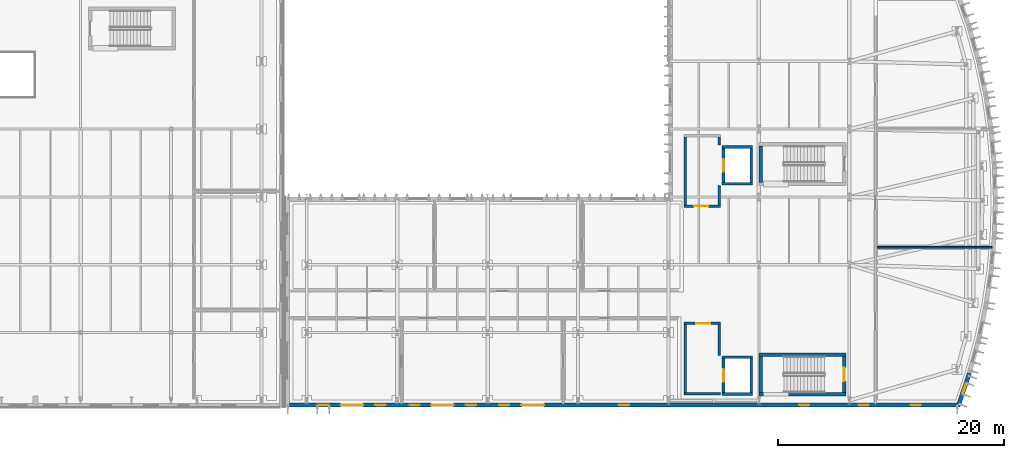
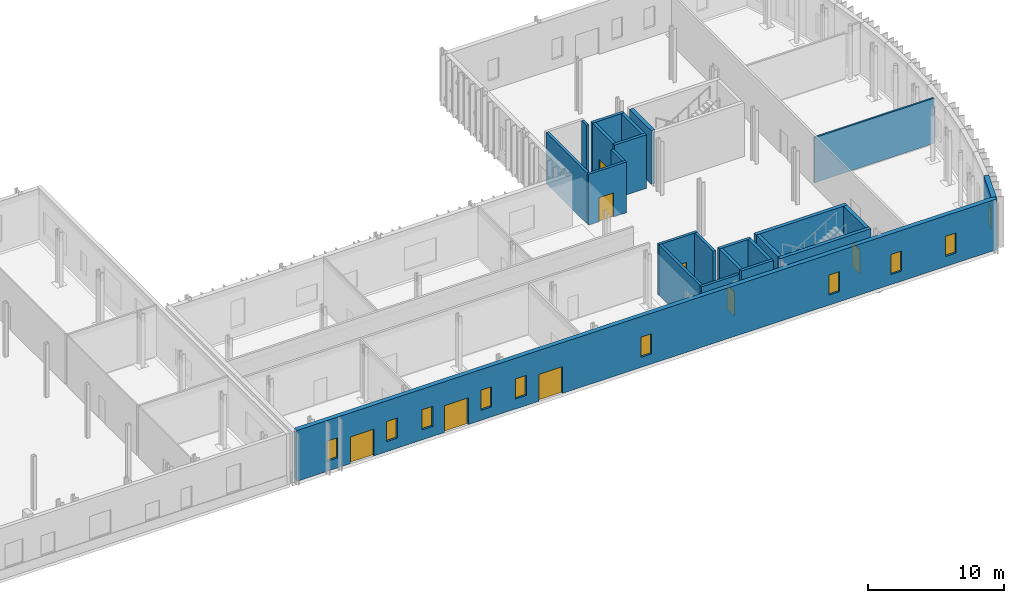
# One storey, part 32 of 60: 24 walls, 10 windows, 8 doors, 18 openings.
"""IFC4 building model written with IfcOpenShell, lengths in metres."""

from ifc_helpers import new_model, si_unit, direction, frame, frame_2d, origin, place, context, subcontext, project, spatial, rectangle, extrude, material, layer, layer_set, type_object, element, fill, save


model = new_model("IFC4")

# Units and contexts
model_context = context("Model", 3, precision=1e-05, world=origin(), true_north=direction((0.0, 1.0)))
body_context = subcontext(model_context, "Body", "Model", "MODEL_VIEW")
ifc_project = project(units=[si_unit("LENGTHUNIT", "METRE"), si_unit("AREAUNIT", "SQUARE_METRE"), si_unit("VOLUMEUNIT", "CUBIC_METRE"), si_unit("PLANEANGLEUNIT", "RADIAN"), si_unit("MASSUNIT", "GRAM", prefix="KILO")], contexts=[model_context])

# Site, building, storey
site_placement = place(None, origin())
site = spatial("IfcSite", under=ifc_project, at=site_placement, CompositionType="ELEMENT")
building_placement = place(site_placement, origin())
building = spatial("IfcBuilding", under=site, at=building_placement, Name="Cymarion Research Institute", CompositionType="ELEMENT")
storey_placement = place(building_placement, origin())
storey = spatial("IfcBuildingStorey", under=building, at=storey_placement, Name="L00", CompositionType="ELEMENT", Elevation=0.0)

# Wall, openings, doors, windows
ifc_material_1 = material(Name="Precast concrete C40/50", Category="concrete")
ifc_layer_1 = layer(ifc_material_1, 0.3798828125)
ifc_layer_set_1 = layer_set([ifc_layer_1], Name="Precast concrete C40/50")
wall_type_1 = type_object("IfcWallType", Name="EXTERIOR WALL EW-PC380 380MM", PredefinedType="SOLIDWALL", material=ifc_layer_set_1)
wall_1_placement = place(storey_placement, frame((105.06201171875, 5.090087890625, 0.0), z_axis=(0.0, 0.0, 1.0), x_axis=(1.0, 0.0, 0.0)))
wall_1 = element("IfcWall", 1, at=wall_1_placement, inside=storey, type_object=wall_type_1, Name="L00 V1 exterior wall EW-PC380 #38", PredefinedType="SOLIDWALL", context=body_context, shape_type="SweptSolid", body=[
    extrude(rectangle(XDim=59.337890625, YDim=0.3798828125, at=frame_2d((29.6689453125, 0.0))), origin(), (0.0, 0.0, 1.0), 4.550048828125),
])
opening_1_placement = place(wall_1_placement, frame((4.5380859375, 0.0, 0.0)))
opening_1 = element("IfcOpeningElement", 2, at=opening_1_placement, cuts=wall_1, Name="Opening D-EX01", PredefinedType="OPENING", context=body_context, shape_type="SweptSolid", body=[
    extrude(rectangle(XDim=2.0, YDim=2.39990234375, at=frame_2d((1.0, 1.199951171875))), frame((0.0, 0.199951171875, 0.0), z_axis=(0.0, -1.0, 0.0), x_axis=(1.0, 0.0, 0.0)), (0.0, 0.0, 1.0), 0.39990234375),
])
opening_2_placement = place(wall_1_placement, frame((20.5380859375, 0.0, 0.0)))
opening_2 = element("IfcOpeningElement", 3, at=opening_2_placement, cuts=wall_1, Name="Opening D-EX02", PredefinedType="OPENING", context=body_context, shape_type="SweptSolid", body=[
    extrude(rectangle(XDim=2.0, YDim=2.39990234375, at=frame_2d((1.0, 1.199951171875))), frame((0.0, 0.199951171875, 0.0), z_axis=(0.0, -1.0, 0.0), x_axis=(1.0, 0.0, 0.0)), (0.0, 0.0, 1.0), 0.39990234375),
])
opening_3_placement = place(wall_1_placement, frame((12.5380859375, 0.0, 0.0)))
opening_3 = element("IfcOpeningElement", 4, at=opening_3_placement, cuts=wall_1, Name="Opening D-EX18", PredefinedType="OPENING", context=body_context, shape_type="SweptSolid", body=[
    extrude(rectangle(XDim=2.0, YDim=2.39990234375, at=frame_2d((1.0, 1.199951171875))), frame((0.0, 0.199951171875, 0.0), z_axis=(0.0, -1.0, 0.0), x_axis=(1.0, 0.0, 0.0)), (0.0, 0.0, 1.0), 0.39990234375),
])
opening_4_placement = place(wall_1_placement, frame((2.552978515625, 0.0, 0.89990234375)))
opening_4 = element("IfcOpeningElement", 5, at=opening_4_placement, cuts=wall_1, Name="Opening W24", PredefinedType="OPENING", context=body_context, shape_type="SweptSolid", body=[
    extrude(rectangle(XDim=0.89990234375, YDim=1.800048828125, at=frame_2d((0.449951171875, 0.89990234375))), frame((0.0, 0.199951171875, 0.0), z_axis=(0.0, -1.0, 0.0), x_axis=(1.0, 0.0, 0.0)), (0.0, 0.0, 1.0), 0.39990234375),
])
opening_5_placement = place(wall_1_placement, frame((7.623046875, 0.0, 0.89990234375)))
opening_5 = element("IfcOpeningElement", 6, at=opening_5_placement, cuts=wall_1, Name="Opening W24", PredefinedType="OPENING", context=body_context, shape_type="SweptSolid", body=[
    extrude(rectangle(XDim=0.89990234375, YDim=1.800048828125, at=frame_2d((0.449951171875, 0.89990234375))), frame((0.0, 0.199951171875, 0.0), z_axis=(0.0, -1.0, 0.0), x_axis=(1.0, 0.0, 0.0)), (0.0, 0.0, 1.0), 0.39990234375),
])
opening_6_placement = place(wall_1_placement, frame((10.633056640625, 0.0, 0.89990234375)))
opening_6 = element("IfcOpeningElement", 7, at=opening_6_placement, cuts=wall_1, Name="Opening W24", PredefinedType="OPENING", context=body_context, shape_type="SweptSolid", body=[
    extrude(rectangle(XDim=0.89990234375, YDim=1.800048828125, at=frame_2d((0.449951171875, 0.89990234375))), frame((0.0, 0.199951171875, 0.0), z_axis=(0.0, -1.0, 0.0), x_axis=(1.0, 0.0, 0.0)), (0.0, 0.0, 1.0), 0.39990234375),
])
opening_7_placement = place(wall_1_placement, frame((15.623046875, 0.0, 0.89990234375)))
opening_7 = element("IfcOpeningElement", 8, at=opening_7_placement, cuts=wall_1, Name="Opening W24", PredefinedType="OPENING", context=body_context, shape_type="SweptSolid", body=[
    extrude(rectangle(XDim=0.89990234375, YDim=1.800048828125, at=frame_2d((0.449951171875, 0.89990234375))), frame((0.0, 0.199951171875, 0.0), z_axis=(0.0, -1.0, 0.0), x_axis=(1.0, 0.0, 0.0)), (0.0, 0.0, 1.0), 0.39990234375),
])
opening_8_placement = place(wall_1_placement, frame((18.552978515625, 0.0, 0.89990234375)))
opening_8 = element("IfcOpeningElement", 9, at=opening_8_placement, cuts=wall_1, Name="Opening W24", PredefinedType="OPENING", context=body_context, shape_type="SweptSolid", body=[
    extrude(rectangle(XDim=0.89990234375, YDim=1.800048828125, at=frame_2d((0.449951171875, 0.89990234375))), frame((0.0, 0.199951171875, 0.0), z_axis=(0.0, -1.0, 0.0), x_axis=(1.0, 0.0, 0.0)), (0.0, 0.0, 1.0), 0.39990234375),
])
opening_9_placement = place(wall_1_placement, frame((29.157958984375, 0.0, 0.89990234375)))
opening_9 = element("IfcOpeningElement", 10, at=opening_9_placement, cuts=wall_1, Name="Opening W24", PredefinedType="OPENING", context=body_context, shape_type="SweptSolid", body=[
    extrude(rectangle(XDim=0.89990234375, YDim=1.800048828125, at=frame_2d((0.449951171875, 0.89990234375))), frame((0.0, 0.199951171875, 0.0), z_axis=(0.0, -1.0, 0.0), x_axis=(1.0, 0.0, 0.0)), (0.0, 0.0, 1.0), 0.39990234375),
])
opening_10_placement = place(wall_1_placement, frame((45.097900390625, 0.0, 0.89990234375)))
opening_10 = element("IfcOpeningElement", 11, at=opening_10_placement, cuts=wall_1, Name="Opening W24", PredefinedType="OPENING", context=body_context, shape_type="SweptSolid", body=[
    extrude(rectangle(XDim=0.89990234375, YDim=1.800048828125, at=frame_2d((0.449951171875, 0.89990234375))), frame((0.0, 0.199951171875, 0.0), z_axis=(0.0, -1.0, 0.0), x_axis=(1.0, 0.0, 0.0)), (0.0, 0.0, 1.0), 0.39990234375),
])
opening_11_placement = place(wall_1_placement, frame((50.35791015625, 0.0, 0.89990234375)))
opening_11 = element("IfcOpeningElement", 12, at=opening_11_placement, cuts=wall_1, Name="Opening W24", PredefinedType="OPENING", context=body_context, shape_type="SweptSolid", body=[
    extrude(rectangle(XDim=0.89990234375, YDim=1.800048828125, at=frame_2d((0.449951171875, 0.89990234375))), frame((0.0, 0.199951171875, 0.0), z_axis=(0.0, -1.0, 0.0), x_axis=(1.0, 0.0, 0.0)), (0.0, 0.0, 1.0), 0.39990234375),
])
opening_12_placement = place(wall_1_placement, frame((54.968017578125, 0.0, 0.89990234375)))
opening_12 = element("IfcOpeningElement", 13, at=opening_12_placement, cuts=wall_1, Name="Opening W24", PredefinedType="OPENING", context=body_context, shape_type="SweptSolid", body=[
    extrude(rectangle(XDim=0.89990234375, YDim=1.800048828125, at=frame_2d((0.449951171875, 0.89990234375))), frame((0.0, 0.199951171875, 0.0), z_axis=(0.0, -1.0, 0.0), x_axis=(1.0, 0.0, 0.0)), (0.0, 0.0, 1.0), 0.39990234375),
])
ifc_material_2 = material(Name="Thermally broken anodised aluminium glazed door", Category="aluminium")
door_type_1 = type_object("IfcDoorType", Name="GLAZED ALUMINIUM DOUBLE EXIT DOOR DT-EX200 2000X2400", OperationType="DOUBLE_DOOR_SINGLE_SWING", PredefinedType="DOOR", material=ifc_material_2)
door_1_placement = place(opening_1_placement, frame((2.0, 0.0, 0.0), z_axis=(0.0, 0.0, 1.0), x_axis=(-1.0, 0.0, 0.0)))
door_1 = element("IfcDoor", 14, at=door_1_placement, inside=storey, type_object=door_type_1, Name="L00 V1 Final Exit Door D-EX01", OperationType="DOUBLE_DOOR_SINGLE_SWING", OverallHeight=2.39990234375, OverallWidth=2.0, PredefinedType="DOOR", context=body_context, shape_type="SweptSolid", body=[
    extrude(rectangle(XDim=2.0, YDim=2.39990234375, at=frame_2d((1.0, 1.199951171875))), frame((0.0, 0.02490234375, 0.0), z_axis=(0.0, -1.0, 0.0), x_axis=(1.0, 0.0, 0.0)), (0.0, 0.0, 1.0), 0.050048828125),
])
fill(opening_1, door_1)
door_2_placement = place(opening_2_placement, frame((2.0, 0.0, 0.0), z_axis=(0.0, 0.0, 1.0), x_axis=(-1.0, 0.0, 0.0)))
door_2 = element("IfcDoor", 15, at=door_2_placement, inside=storey, type_object=door_type_1, Name="L00 V1 Final Exit Door D-EX02", OperationType="DOUBLE_DOOR_SINGLE_SWING", OverallHeight=2.39990234375, OverallWidth=2.0, PredefinedType="DOOR", context=body_context, shape_type="SweptSolid", body=[
    extrude(rectangle(XDim=2.0, YDim=2.39990234375, at=frame_2d((1.0, 1.199951171875))), frame((0.0, 0.02490234375, 0.0), z_axis=(0.0, -1.0, 0.0), x_axis=(1.0, 0.0, 0.0)), (0.0, 0.0, 1.0), 0.050048828125),
])
fill(opening_2, door_2)
door_3_placement = place(opening_3_placement, frame((2.0, 0.0, 0.0), z_axis=(0.0, 0.0, 1.0), x_axis=(-1.0, 0.0, 0.0)))
door_3 = element("IfcDoor", 16, at=door_3_placement, inside=storey, type_object=door_type_1, Name="L00 V1 Final Exit Door D-EX18", OperationType="DOUBLE_DOOR_SINGLE_SWING", OverallHeight=2.39990234375, OverallWidth=2.0, PredefinedType="DOOR", context=body_context, shape_type="SweptSolid", body=[
    extrude(rectangle(XDim=2.0, YDim=2.39990234375, at=frame_2d((1.0, 1.199951171875))), frame((0.0, 0.02490234375, 0.0), z_axis=(0.0, -1.0, 0.0), x_axis=(1.0, 0.0, 0.0)), (0.0, 0.0, 1.0), 0.050048828125),
])
fill(opening_3, door_3)
ifc_material_3 = material(Name="Thermally broken aluminium window with Low-E glazing", Category="aluminium")
window_type = type_object("IfcWindowType", Name="THERMALLY BROKEN ALUMINIUM WINDOW W24 900X1800", PartitioningType="SINGLE_PANEL", PredefinedType="WINDOW", material=ifc_material_3)
window_1_placement = place(opening_4_placement, origin())
window_1 = element("IfcWindow", 17, at=window_1_placement, inside=storey, type_object=window_type, Name="L00 V1 facade window W24 #1", OverallHeight=1.800048828125, OverallWidth=0.89990234375, PartitioningType="SINGLE_PANEL", PredefinedType="WINDOW", context=body_context, shape_type="SweptSolid", body=[
    extrude(rectangle(XDim=0.89990234375, YDim=1.800048828125, at=frame_2d((0.449951171875, 0.89990234375))), frame((0.0, 0.030029296875, 0.0), z_axis=(0.0, -1.0, 0.0), x_axis=(1.0, 0.0, 0.0)), (0.0, 0.0, 1.0), 0.06005859375),
])
fill(opening_4, window_1)
window_2_placement = place(opening_5_placement, origin())
window_2 = element("IfcWindow", 18, at=window_2_placement, inside=storey, type_object=window_type, Name="L00 V1 facade window W24 #2", OverallHeight=1.800048828125, OverallWidth=0.89990234375, PartitioningType="SINGLE_PANEL", PredefinedType="WINDOW", context=body_context, shape_type="SweptSolid", body=[
    extrude(rectangle(XDim=0.89990234375, YDim=1.800048828125, at=frame_2d((0.449951171875, 0.89990234375))), frame((0.0, 0.030029296875, 0.0), z_axis=(0.0, -1.0, 0.0), x_axis=(1.0, 0.0, 0.0)), (0.0, 0.0, 1.0), 0.06005859375),
])
fill(opening_5, window_2)
window_3_placement = place(opening_6_placement, origin())
window_3 = element("IfcWindow", 19, at=window_3_placement, inside=storey, type_object=window_type, Name="L00 V1 facade window W24 #3", OverallHeight=1.800048828125, OverallWidth=0.89990234375, PartitioningType="SINGLE_PANEL", PredefinedType="WINDOW", context=body_context, shape_type="SweptSolid", body=[
    extrude(rectangle(XDim=0.89990234375, YDim=1.800048828125, at=frame_2d((0.449951171875, 0.89990234375))), frame((0.0, 0.030029296875, 0.0), z_axis=(0.0, -1.0, 0.0), x_axis=(1.0, 0.0, 0.0)), (0.0, 0.0, 1.0), 0.06005859375),
])
fill(opening_6, window_3)
window_4_placement = place(opening_7_placement, origin())
window_4 = element("IfcWindow", 20, at=window_4_placement, inside=storey, type_object=window_type, Name="L00 V1 facade window W24 #4", OverallHeight=1.800048828125, OverallWidth=0.89990234375, PartitioningType="SINGLE_PANEL", PredefinedType="WINDOW", context=body_context, shape_type="SweptSolid", body=[
    extrude(rectangle(XDim=0.89990234375, YDim=1.800048828125, at=frame_2d((0.449951171875, 0.89990234375))), frame((0.0, 0.030029296875, 0.0), z_axis=(0.0, -1.0, 0.0), x_axis=(1.0, 0.0, 0.0)), (0.0, 0.0, 1.0), 0.06005859375),
])
fill(opening_7, window_4)
window_5_placement = place(opening_8_placement, origin())
window_5 = element("IfcWindow", 21, at=window_5_placement, inside=storey, type_object=window_type, Name="L00 V1 facade window W24 #5", OverallHeight=1.800048828125, OverallWidth=0.89990234375, PartitioningType="SINGLE_PANEL", PredefinedType="WINDOW", context=body_context, shape_type="SweptSolid", body=[
    extrude(rectangle(XDim=0.89990234375, YDim=1.800048828125, at=frame_2d((0.449951171875, 0.89990234375))), frame((0.0, 0.030029296875, 0.0), z_axis=(0.0, -1.0, 0.0), x_axis=(1.0, 0.0, 0.0)), (0.0, 0.0, 1.0), 0.06005859375),
])
fill(opening_8, window_5)
window_6_placement = place(opening_9_placement, origin())
window_6 = element("IfcWindow", 22, at=window_6_placement, inside=storey, type_object=window_type, Name="L00 V1 facade window W24 #6", OverallHeight=1.800048828125, OverallWidth=0.89990234375, PartitioningType="SINGLE_PANEL", PredefinedType="WINDOW", context=body_context, shape_type="SweptSolid", body=[
    extrude(rectangle(XDim=0.89990234375, YDim=1.800048828125, at=frame_2d((0.449951171875, 0.89990234375))), frame((0.0, 0.030029296875, 0.0), z_axis=(0.0, -1.0, 0.0), x_axis=(1.0, 0.0, 0.0)), (0.0, 0.0, 1.0), 0.06005859375),
])
fill(opening_9, window_6)
window_7_placement = place(opening_10_placement, origin())
window_7 = element("IfcWindow", 23, at=window_7_placement, inside=storey, type_object=window_type, Name="L00 V1 facade window W24 #7", OverallHeight=1.800048828125, OverallWidth=0.89990234375, PartitioningType="SINGLE_PANEL", PredefinedType="WINDOW", context=body_context, shape_type="SweptSolid", body=[
    extrude(rectangle(XDim=0.89990234375, YDim=1.800048828125, at=frame_2d((0.449951171875, 0.89990234375))), frame((0.0, 0.030029296875, 0.0), z_axis=(0.0, -1.0, 0.0), x_axis=(1.0, 0.0, 0.0)), (0.0, 0.0, 1.0), 0.06005859375),
])
fill(opening_10, window_7)
window_8_placement = place(opening_11_placement, origin())
window_8 = element("IfcWindow", 24, at=window_8_placement, inside=storey, type_object=window_type, Name="L00 V1 facade window W24 #8", OverallHeight=1.800048828125, OverallWidth=0.89990234375, PartitioningType="SINGLE_PANEL", PredefinedType="WINDOW", context=body_context, shape_type="SweptSolid", body=[
    extrude(rectangle(XDim=0.89990234375, YDim=1.800048828125, at=frame_2d((0.449951171875, 0.89990234375))), frame((0.0, 0.030029296875, 0.0), z_axis=(0.0, -1.0, 0.0), x_axis=(1.0, 0.0, 0.0)), (0.0, 0.0, 1.0), 0.06005859375),
])
fill(opening_11, window_8)
window_9_placement = place(opening_12_placement, origin())
window_9 = element("IfcWindow", 25, at=window_9_placement, inside=storey, type_object=window_type, Name="L00 V1 facade window W24 #9", OverallHeight=1.800048828125, OverallWidth=0.89990234375, PartitioningType="SINGLE_PANEL", PredefinedType="WINDOW", context=body_context, shape_type="SweptSolid", body=[
    extrude(rectangle(XDim=0.89990234375, YDim=1.800048828125, at=frame_2d((0.449951171875, 0.89990234375))), frame((0.0, 0.030029296875, 0.0), z_axis=(0.0, -1.0, 0.0), x_axis=(1.0, 0.0, 0.0)), (0.0, 0.0, 1.0), 0.06005859375),
])
fill(opening_12, window_9)

# Wall, opening, window
wall_2_placement = place(storey_placement, frame((164.30224609375, 5.201416015625, 0.0), z_axis=(0.0, 0.0, 1.0), x_axis=(0.323739917301, 0.946146112366, 0.0)))
wall_2 = element("IfcWall", 26, at=wall_2_placement, inside=storey, type_object=wall_type_1, Name="L00 V1 exterior wall EW-PC380 #39", PredefinedType="SOLIDWALL", context=body_context, shape_type="SweptSolid", body=[
    extrude(rectangle(XDim=2.862548828125, YDim=0.3798828125, at=frame_2d((1.43115234375, 0.0))), origin(), (0.0, 0.0, 1.0), 4.550048828125),
])
opening_13_placement = place(wall_2_placement, frame((0.98095703125, 0.0, 0.89990234375)))
opening_13 = element("IfcOpeningElement", 27, at=opening_13_placement, cuts=wall_2, Name="Opening W24", PredefinedType="OPENING", context=body_context, shape_type="SweptSolid", body=[
    extrude(rectangle(XDim=0.89990234375, YDim=1.800048828125, at=frame_2d((0.449951171875, 0.89990234375))), frame((0.0, 0.199951171875, 0.0), z_axis=(0.0, -1.0, 0.0), x_axis=(1.0, 0.0, 0.0)), (0.0, 0.0, 1.0), 0.39990234375),
])
window_10_placement = place(opening_13_placement, origin())
window_10 = element("IfcWindow", 28, at=window_10_placement, inside=storey, type_object=window_type, Name="L00 V1 facade window W24 #10", OverallHeight=1.800048828125, OverallWidth=0.89990234375, PartitioningType="SINGLE_PANEL", PredefinedType="WINDOW", context=body_context, shape_type="SweptSolid", body=[
    extrude(rectangle(XDim=0.89990234375, YDim=1.800048828125, at=frame_2d((0.449951171875, 0.89990234375))), frame((0.0, 0.030029296875, 0.0), z_axis=(0.0, -1.0, 0.0), x_axis=(1.0, 0.0, 0.0)), (0.0, 0.0, 1.0), 0.06005859375),
])
fill(opening_13, window_10)

# Walls
ifc_material_4 = material(Name="Gypsum acoustic double-stud partition", Category="gypsum")
ifc_layer_2 = layer(ifc_material_4, 0.14990234375)
ifc_layer_set_2 = layer_set([ifc_layer_2], Name="Gypsum acoustic double-stud partition")
wall_type_2 = type_object("IfcWallType", Name="INTERIOR PARTITION IW-AC150 150MM", PredefinedType="PARTITIONING", material=ifc_layer_set_2)
wall_3_placement = place(storey_placement, frame((157.050048828125, 19.06005859375, 0.0), z_axis=(0.0, 0.0, 1.0), x_axis=(1.0, 0.0, 0.0)))
element("IfcWall", 29, at=wall_3_placement, inside=storey, type_object=wall_type_2, Name="L00 V1 interior partition IW-AC150 #61", PredefinedType="PARTITIONING", context=body_context, shape_type="SweptSolid", body=[
    extrude(rectangle(XDim=10.184326171875, YDim=0.14990234375, at=frame_2d((5.09228515625, 0.0))), origin(), (0.0, 0.0, 1.0), 4.050048828125),
])
ifc_material_5 = material(Name="Concrete C40/50", Category="concrete")
ifc_layer_3 = layer(ifc_material_5, 0.219970703125)
ifc_layer_set_3 = layer_set([ifc_layer_3], Name="Concrete C40/50")
wall_type_3 = type_object("IfcWallType", Name="REINFORCED CONCRETE CORE WALL CW-FF220 220MM", PredefinedType="SOLIDWALL", material=ifc_layer_set_3)
wall_4_placement = place(storey_placement, frame((139.97998046875, 6.090087890625, 0.0), z_axis=(0.0, 0.0, 1.0), x_axis=(1.0, 0.0, 0.0)))
element("IfcWall", 30, at=wall_4_placement, inside=storey, type_object=wall_type_3, Name="L00 FFL-LF1-L00 south core wall", PredefinedType="SOLIDWALL", context=body_context, shape_type="SweptSolid", body=[
    extrude(rectangle(XDim=3.239990234375, YDim=0.219970703125, at=frame_2d((1.6201171875, 0.0))), origin(), (0.0, 0.0, 1.0), 4.550048828125),
])

# Wall, opening, door
wall_5_placement = place(storey_placement, frame((143.219970703125, 12.31005859375, 0.0), z_axis=(0.0, 0.0, 1.0), x_axis=(-1.0, 0.0, 0.0)))
wall_5 = element("IfcWall", 31, at=wall_5_placement, inside=storey, type_object=wall_type_3, Name="L00 FFL-LF1-L00 north core wall", PredefinedType="SOLIDWALL", context=body_context, shape_type="SweptSolid", body=[
    extrude(rectangle(XDim=3.239990234375, YDim=0.219970703125, at=frame_2d((1.6201171875, 0.0))), origin(), (0.0, 0.0, 1.0), 4.550048828125),
])
opening_14_placement = place(wall_5_placement, frame((0.89990234375, 0.0, 0.0)))
opening_14 = element("IfcOpeningElement", 32, at=opening_14_placement, cuts=wall_5, Name="Opening FD-FFL-LF1-L00", PredefinedType="OPENING", context=body_context, shape_type="SweptSolid", body=[
    extrude(rectangle(XDim=1.25, YDim=2.14990234375, at=frame_2d((0.625, 1.074951171875))), frame((0.0, 0.119873046875, 0.0), z_axis=(0.0, -1.0, 0.0), x_axis=(1.0, 0.0, 0.0)), (0.0, 0.0, 1.0), 0.239990234375),
])
ifc_material_6 = material(Name="Fire-rated insulated steel door assembly", Category="steel")
door_type_2 = type_object("IfcDoorType", Name="FIREFIGHTING LOBBY DOOR DT-FF125 1250X2150", OperationType="NOTDEFINED", PredefinedType="DOOR", material=ifc_material_6)
door_4_placement = place(opening_14_placement, frame((1.25, 0.0, 0.0), z_axis=(0.0, 0.0, 1.0), x_axis=(-1.0, 0.0, 0.0)))
door_4 = element("IfcDoor", 33, at=door_4_placement, inside=storey, type_object=door_type_2, Name="L00 Firefighting lobby door FD-FFL-LF1-L00", OperationType="SINGLE_SWING_RIGHT", OverallHeight=2.14990234375, OverallWidth=1.25, PredefinedType="DOOR", context=body_context, shape_type="SweptSolid", body=[
    extrude(rectangle(XDim=1.25, YDim=2.14990234375, at=frame_2d((0.625, 1.074951171875))), frame((0.0, 0.02490234375, 0.0), z_axis=(0.0, -1.0, 0.0), x_axis=(1.0, 0.0, 0.0)), (0.0, 0.0, 1.0), 0.050048828125),
])
fill(opening_14, door_4)

# Walls
wall_6_placement = place(storey_placement, frame((140.090087890625, 12.199951171875, 0.0), z_axis=(0.0, 0.0, 1.0), x_axis=(0.0, -1.0, 0.0)))
element("IfcWall", 34, at=wall_6_placement, inside=storey, type_object=wall_type_3, Name="L00 FFL-LF1-L00 west core wall", PredefinedType="SOLIDWALL", context=body_context, shape_type="SweptSolid", body=[
    extrude(rectangle(XDim=6.0, YDim=0.219970703125, at=frame_2d((3.0, 0.0))), origin(), (0.0, 0.0, 1.0), 4.550048828125),
])
wall_7_placement = place(storey_placement, frame((143.110107421875, 9.47998046875, 0.0), z_axis=(0.0, 0.0, 1.0), x_axis=(0.0, 1.0, 0.0)))
element("IfcWall", 35, at=wall_7_placement, inside=storey, type_object=wall_type_3, Name="Core C1 firefighting lobby east closure wall L00", PredefinedType="SOLIDWALL", context=body_context, shape_type="SweptSolid", body=[
    extrude(rectangle(XDim=2.719970703125, YDim=0.219970703125, at=frame_2d((1.35986328125, 0.0))), origin(), (0.0, 0.0, 1.0), 4.550048828125),
])

# Wall, opening, door
wall_8_placement = place(storey_placement, frame((139.97998046875, 22.68994140625, 0.0), z_axis=(0.0, 0.0, 1.0), x_axis=(1.0, 0.0, 0.0)))
wall_8 = element("IfcWall", 36, at=wall_8_placement, inside=storey, type_object=wall_type_3, Name="L00 FFL-LF2-L00 south core wall", PredefinedType="SOLIDWALL", context=body_context, shape_type="SweptSolid", body=[
    extrude(rectangle(XDim=3.239990234375, YDim=0.219970703125, at=frame_2d((1.6201171875, 0.0))), origin(), (0.0, 0.0, 1.0), 4.550048828125),
])
opening_15_placement = place(wall_8_placement, frame((0.89990234375, 0.0, 0.0)))
opening_15 = element("IfcOpeningElement", 37, at=opening_15_placement, cuts=wall_8, Name="Opening FD-FFL-LF2-L00", PredefinedType="OPENING", context=body_context, shape_type="SweptSolid", body=[
    extrude(rectangle(XDim=1.25, YDim=2.14990234375, at=frame_2d((0.625, 1.074951171875))), frame((0.0, 0.119873046875, 0.0), z_axis=(0.0, -1.0, 0.0), x_axis=(1.0, 0.0, 0.0)), (0.0, 0.0, 1.0), 0.239990234375),
])
door_5_placement = place(opening_15_placement, frame((1.25, 0.0, 0.0), z_axis=(0.0, 0.0, 1.0), x_axis=(-1.0, 0.0, 0.0)))
door_5 = element("IfcDoor", 38, at=door_5_placement, inside=storey, type_object=door_type_2, Name="L00 Firefighting lobby door FD-FFL-LF2-L00", OperationType="SINGLE_SWING_RIGHT", OverallHeight=2.14990234375, OverallWidth=1.25, PredefinedType="DOOR", context=body_context, shape_type="SweptSolid", body=[
    extrude(rectangle(XDim=1.25, YDim=2.14990234375, at=frame_2d((0.625, 1.074951171875))), frame((0.0, 0.02490234375, 0.0), z_axis=(0.0, -1.0, 0.0), x_axis=(1.0, 0.0, 0.0)), (0.0, 0.0, 1.0), 0.050048828125),
])
fill(opening_15, door_5)

# Walls
wall_9_placement = place(storey_placement, frame((140.090087890625, 28.800048828125, 0.0), z_axis=(0.0, 0.0, 1.0), x_axis=(0.0, -1.0, 0.0)))
element("IfcWall", 39, at=wall_9_placement, inside=storey, type_object=wall_type_3, Name="L00 FFL-LF2-L00 west core wall", PredefinedType="SOLIDWALL", context=body_context, shape_type="SweptSolid", body=[
    extrude(rectangle(XDim=6.0, YDim=0.219970703125, at=frame_2d((3.0, 0.0))), origin(), (0.0, 0.0, 1.0), 4.550048828125),
])
wall_10_placement = place(storey_placement, frame((143.110107421875, 22.800048828125, 0.0), z_axis=(0.0, 0.0, 1.0), x_axis=(0.0, 1.0, 0.0)))
element("IfcWall", 40, at=wall_10_placement, inside=storey, type_object=wall_type_3, Name="Core C2 firefighting lobby east closure wall L00 #1", PredefinedType="SOLIDWALL", context=body_context, shape_type="SweptSolid", body=[
    extrude(rectangle(XDim=1.719970703125, YDim=0.219970703125, at=frame_2d((0.85986328125, 0.0))), origin(), (0.0, 0.0, 1.0), 4.550048828125),
])
wall_11_placement = place(storey_placement, frame((143.110107421875, 28.080078125, 0.0), z_axis=(0.0, 0.0, 1.0), x_axis=(0.0, 1.0, 0.0)))
element("IfcWall", 41, at=wall_11_placement, inside=storey, type_object=wall_type_3, Name="Core C2 firefighting lobby east closure wall L00 #2", PredefinedType="SOLIDWALL", context=body_context, shape_type="SweptSolid", body=[
    extrude(rectangle(XDim=0.719970703125, YDim=0.219970703125, at=frame_2d((0.35986328125, 0.0))), origin(), (0.0, 0.0, 1.0), 4.550048828125),
])
ifc_layer_4 = layer(ifc_material_5, 0.25)
ifc_layer_set_4 = layer_set([ifc_layer_4], Name="Concrete C40/50")
wall_type_4 = type_object("IfcWallType", Name="REINFORCED CONCRETE CORE WALL CW-SH250 250MM", PredefinedType="SHEAR", material=ifc_layer_set_4)
for number, where, z_axis, x_axis, name in (
    (42, (143.35009765625, 6.074951171875, 0.0), (0.0, 0.0, 1.0), (1.0, 0.0, 0.0), "L00 LSH-LF1-L00 south core wall"),
    (43, (146.050048828125, 9.324951171875, 0.0), (0.0, 0.0, 1.0), (-1.0, 0.0, 0.0), "L00 LSH-LF1-L00 north core wall"),
):
    element("IfcWall", number, at=place(storey_placement, frame(where, z_axis=z_axis, x_axis=x_axis)), inside=storey, type_object=wall_type_4, Name=name, PredefinedType="SHEAR", context=body_context, shape_type="SweptSolid", body=[
        extrude(rectangle(XDim=2.699951171875, YDim=0.25, at=frame_2d((1.35009765625, 0.0))), origin(), (0.0, 0.0, 1.0), 4.800048828125),
    ])

# Wall, opening, door
wall_12_placement = place(storey_placement, frame((143.47509765625, 9.199951171875, 0.0), z_axis=(0.0, 0.0, 1.0), x_axis=(0.0, -1.0, 0.0)))
wall_12 = element("IfcWall", 44, at=wall_12_placement, inside=storey, type_object=wall_type_4, Name="L00 LSH-LF1-L00 west core wall", PredefinedType="SHEAR", context=body_context, shape_type="SweptSolid", body=[
    extrude(rectangle(XDim=3.0, YDim=0.25, at=frame_2d((1.5, 0.0))), origin(), (0.0, 0.0, 1.0), 4.800048828125),
])
opening_16_placement = place(wall_12_placement, frame((0.949951171875, 0.0, 0.0)))
opening_16 = element("IfcOpeningElement", 45, at=opening_16_placement, cuts=wall_12, Name="Opening LD-LF1-L00", PredefinedType="OPENING", context=body_context, shape_type="SweptSolid", body=[
    extrude(rectangle(XDim=1.10009765625, YDim=2.14990234375, at=frame_2d((0.550048828125, 1.074951171875))), frame((0.0, 0.135009765625, 0.0), z_axis=(0.0, -1.0, 0.0), x_axis=(1.0, 0.0, 0.0)), (0.0, 0.0, 1.0), 0.27001953125),
])
door_type_3 = type_object("IfcDoorType", Name="SLIDING LIFT LANDING DOOR DT-LD110 1100X2150", OperationType="DOUBLE_DOOR_SLIDING", PredefinedType="DOOR", material=ifc_material_6)
door_6_placement = place(opening_16_placement, origin())
door_6 = element("IfcDoor", 46, at=door_6_placement, inside=storey, type_object=door_type_3, Name="Lift LF1 landing door L00", OperationType="DOUBLE_DOOR_SLIDING", OverallHeight=2.14990234375, OverallWidth=1.10009765625, PredefinedType="DOOR", context=body_context, shape_type="SweptSolid", body=[
    extrude(rectangle(XDim=1.10009765625, YDim=2.14990234375, at=frame_2d((0.550048828125, 1.074951171875))), frame((0.0, 0.02490234375, 0.0), z_axis=(0.0, -1.0, 0.0), x_axis=(1.0, 0.0, 0.0)), (0.0, 0.0, 1.0), 0.050048828125),
])
fill(opening_16, door_6)

# Walls
wall_13_placement = place(storey_placement, frame((145.925048828125, 6.199951171875, 0.0), z_axis=(0.0, 0.0, 1.0), x_axis=(0.0, 1.0, 0.0)))
element("IfcWall", 47, at=wall_13_placement, inside=storey, type_object=wall_type_4, Name="L00 LSH-LF1-L00 east core wall", PredefinedType="SHEAR", context=body_context, shape_type="SweptSolid", body=[
    extrude(rectangle(XDim=3.0, YDim=0.25, at=frame_2d((1.5, 0.0))), origin(), (0.0, 0.0, 1.0), 4.800048828125),
])
for number, where, z_axis, x_axis, name in (
    (48, (143.35009765625, 24.675048828125, 0.0), (0.0, 0.0, 1.0), (1.0, 0.0, 0.0), "L00 LSH-LF2-L00 south core wall"),
    (49, (146.050048828125, 27.925048828125, 0.0), (0.0, 0.0, 1.0), (-1.0, 0.0, 0.0), "L00 LSH-LF2-L00 north core wall"),
):
    element("IfcWall", number, at=place(storey_placement, frame(where, z_axis=z_axis, x_axis=x_axis)), inside=storey, type_object=wall_type_4, Name=name, PredefinedType="SHEAR", context=body_context, shape_type="SweptSolid", body=[
        extrude(rectangle(XDim=2.699951171875, YDim=0.25, at=frame_2d((1.35009765625, 0.0))), origin(), (0.0, 0.0, 1.0), 4.800048828125),
    ])

# Wall, opening, door
wall_14_placement = place(storey_placement, frame((143.47509765625, 27.800048828125, 0.0), z_axis=(0.0, 0.0, 1.0), x_axis=(0.0, -1.0, 0.0)))
wall_14 = element("IfcWall", 50, at=wall_14_placement, inside=storey, type_object=wall_type_4, Name="L00 LSH-LF2-L00 west core wall", PredefinedType="SHEAR", context=body_context, shape_type="SweptSolid", body=[
    extrude(rectangle(XDim=3.0, YDim=0.25, at=frame_2d((1.5, 0.0))), origin(), (0.0, 0.0, 1.0), 4.800048828125),
])
opening_17_placement = place(wall_14_placement, frame((0.949951171875, 0.0, 0.0)))
opening_17 = element("IfcOpeningElement", 51, at=opening_17_placement, cuts=wall_14, Name="Opening LD-LF2-L00", PredefinedType="OPENING", context=body_context, shape_type="SweptSolid", body=[
    extrude(rectangle(XDim=1.10009765625, YDim=2.14990234375, at=frame_2d((0.550048828125, 1.074951171875))), frame((0.0, 0.135009765625, 0.0), z_axis=(0.0, -1.0, 0.0), x_axis=(1.0, 0.0, 0.0)), (0.0, 0.0, 1.0), 0.27001953125),
])
door_7_placement = place(opening_17_placement, origin())
door_7 = element("IfcDoor", 52, at=door_7_placement, inside=storey, type_object=door_type_3, Name="Lift LF2 landing door L00", OperationType="DOUBLE_DOOR_SLIDING", OverallHeight=2.14990234375, OverallWidth=1.10009765625, PredefinedType="DOOR", context=body_context, shape_type="SweptSolid", body=[
    extrude(rectangle(XDim=1.10009765625, YDim=2.14990234375, at=frame_2d((0.550048828125, 1.074951171875))), frame((0.0, 0.02490234375, 0.0), z_axis=(0.0, -1.0, 0.0), x_axis=(1.0, 0.0, 0.0)), (0.0, 0.0, 1.0), 0.050048828125),
])
fill(opening_17, door_7)

# Walls
wall_15_placement = place(storey_placement, frame((145.925048828125, 24.800048828125, 0.0), z_axis=(0.0, 0.0, 1.0), x_axis=(0.0, 1.0, 0.0)))
element("IfcWall", 53, at=wall_15_placement, inside=storey, type_object=wall_type_4, Name="L00 LSH-LF2-L00 east core wall", PredefinedType="SHEAR", context=body_context, shape_type="SweptSolid", body=[
    extrude(rectangle(XDim=3.0, YDim=0.25, at=frame_2d((1.5, 0.0))), origin(), (0.0, 0.0, 1.0), 4.800048828125),
])
ifc_layer_5 = layer(ifc_material_5, 0.300048828125)
ifc_layer_set_5 = layer_set([ifc_layer_5], Name="Concrete C40/50")
wall_type_5 = type_object("IfcWallType", Name="REINFORCED CONCRETE CORE WALL CW-SH300 300MM", PredefinedType="SHEAR", material=ifc_layer_set_5)
for number, where, z_axis, x_axis, name in (
    (54, (146.60009765625, 6.050048828125, 0.0), (0.0, 0.0, 1.0), (1.0, 0.0, 0.0), "L00 SHW-C1-L00 south core wall"),
    (55, (154.300048828125, 9.550048828125, 0.0), (0.0, 0.0, 1.0), (-1.0, 0.0, 0.0), "L00 SHW-C1-L00 north core wall"),
):
    element("IfcWall", number, at=place(storey_placement, frame(where, z_axis=z_axis, x_axis=x_axis)), inside=storey, type_object=wall_type_5, Name=name, PredefinedType="SHEAR", context=body_context, shape_type="SweptSolid", body=[
        extrude(rectangle(XDim=7.699951171875, YDim=0.300048828125, at=frame_2d((3.85009765625, 0.0))), origin(), (0.0, 0.0, 1.0), 4.800048828125),
    ])
wall_16_placement = place(storey_placement, frame((146.75, 9.39990234375, 0.0), z_axis=(0.0, 0.0, 1.0), x_axis=(0.0, -1.0, 0.0)))
element("IfcWall", 56, at=wall_16_placement, inside=storey, type_object=wall_type_5, Name="L00 SHW-C1-L00 west core wall", PredefinedType="SHEAR", context=body_context, shape_type="SweptSolid", body=[
    extrude(rectangle(XDim=3.199951171875, YDim=0.300048828125, at=frame_2d((1.60009765625, 0.0))), origin(), (0.0, 0.0, 1.0), 4.800048828125),
])

# Wall, opening, door
wall_17_placement = place(storey_placement, frame((154.14990234375, 6.199951171875, 0.0), z_axis=(0.0, 0.0, 1.0), x_axis=(0.0, 1.0, 0.0)))
wall_17 = element("IfcWall", 57, at=wall_17_placement, inside=storey, type_object=wall_type_5, Name="L00 SHW-C1-L00 east core wall", PredefinedType="SHEAR", context=body_context, shape_type="SweptSolid", body=[
    extrude(rectangle(XDim=3.199951171875, YDim=0.300048828125, at=frame_2d((1.60009765625, 0.0))), origin(), (0.0, 0.0, 1.0), 4.800048828125),
])
opening_18_placement = place(wall_17_placement, frame((1.0, 0.0, 0.0)))
opening_18 = element("IfcOpeningElement", 58, at=opening_18_placement, cuts=wall_17, Name="Opening FD-L00-ST1", PredefinedType="OPENING", context=body_context, shape_type="SweptSolid", body=[
    extrude(rectangle(XDim=1.199951171875, YDim=2.14990234375, at=frame_2d((0.60009765625, 1.074951171875))), frame((0.0, 0.159912109375, 0.0), z_axis=(0.0, -1.0, 0.0), x_axis=(1.0, 0.0, 0.0)), (0.0, 0.0, 1.0), 0.320068359375),
])
door_type_4 = type_object("IfcDoorType", Name="SMOKE PROOF STAIR FIRE DOOR DT-ST120 1200X2150", OperationType="NOTDEFINED", PredefinedType="DOOR", material=ifc_material_6)
door_8_placement = place(opening_18_placement, frame((1.199951171875, 0.0, 0.0), z_axis=(0.0, 0.0, 1.0), x_axis=(-1.0, 0.0, 0.0)))
door_8 = element("IfcDoor", 59, at=door_8_placement, inside=storey, type_object=door_type_4, Name="L00 ST1 smoke-proof stair door FD-L00-ST1", OperationType="SINGLE_SWING_RIGHT", OverallHeight=2.14990234375, OverallWidth=1.199951171875, PredefinedType="DOOR", context=body_context, shape_type="SweptSolid", body=[
    extrude(rectangle(XDim=1.199951171875, YDim=2.14990234375, at=frame_2d((0.60009765625, 1.074951171875))), frame((0.0, 0.02490234375, 0.0), z_axis=(0.0, -1.0, 0.0), x_axis=(1.0, 0.0, 0.0)), (0.0, 0.0, 1.0), 0.050048828125),
])
fill(opening_18, door_8)

# Wall
wall_18_placement = place(storey_placement, frame((146.75, 28.0, 0.0), z_axis=(0.0, 0.0, 1.0), x_axis=(0.0, -1.0, 0.0)))
element("IfcWall", 60, at=wall_18_placement, inside=storey, type_object=wall_type_5, Name="L00 SHW-C2-L00 west core wall", PredefinedType="SHEAR", context=body_context, shape_type="SweptSolid", body=[
    extrude(rectangle(XDim=3.199951171875, YDim=0.300048828125, at=frame_2d((1.60009765625, 0.0))), origin(), (0.0, 0.0, 1.0), 4.800048828125),
])

save(model, "model.ifc")
